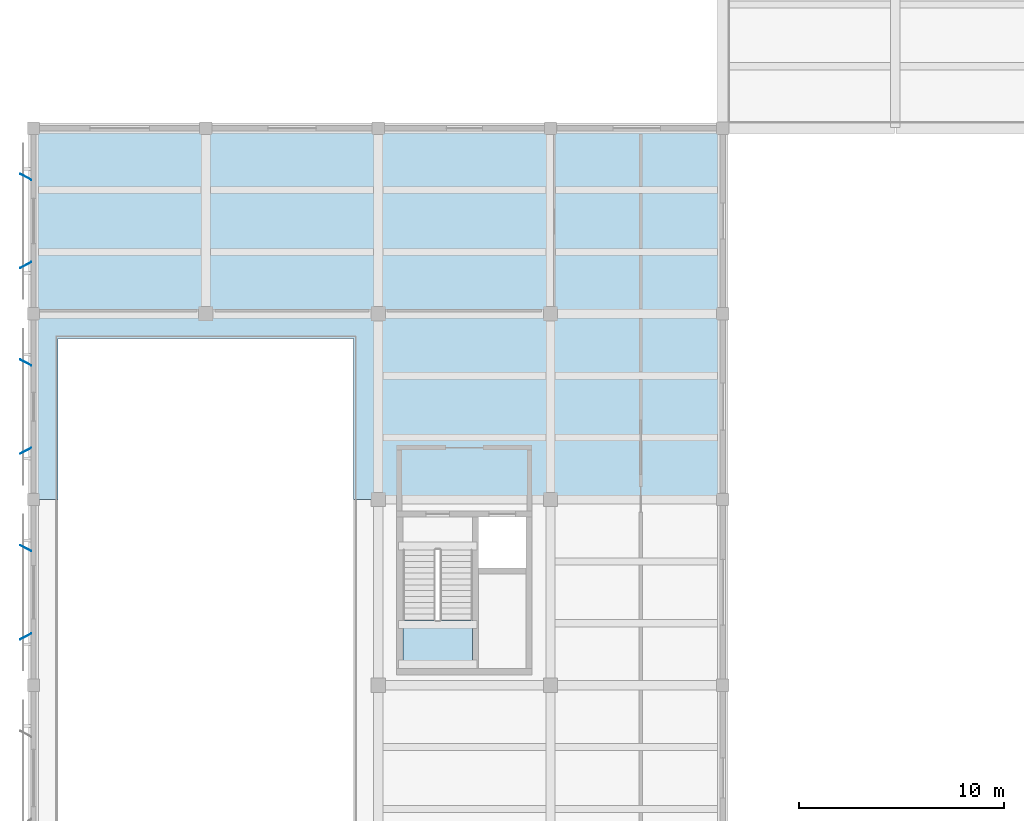
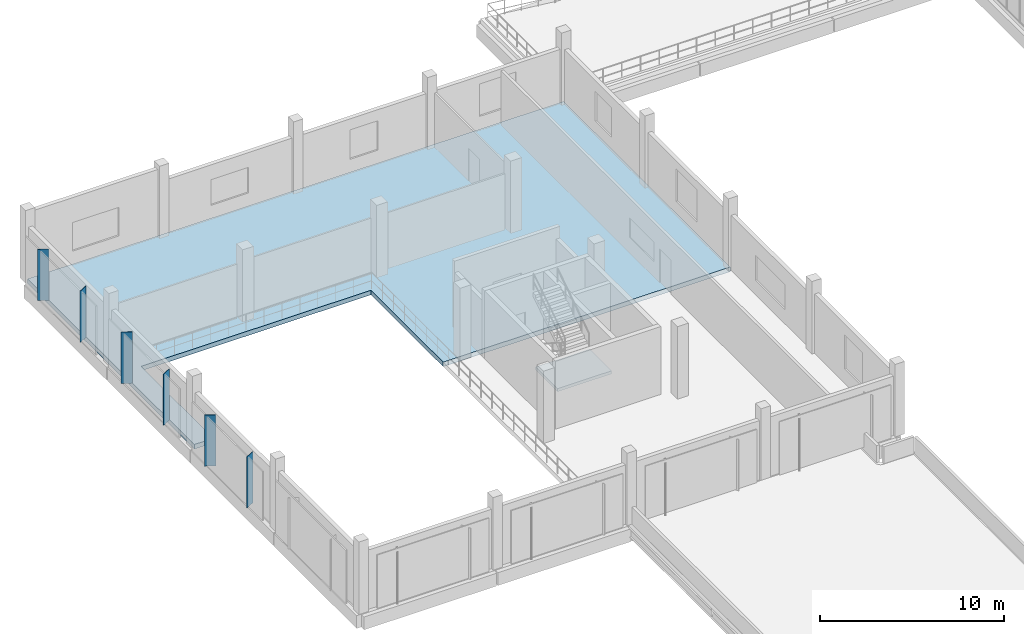
# One storey, part 49 of 80: 6 plates, 2 slabs, 1 element without a shape of its own.
"""IFC4 building model written with IfcOpenShell, lengths in metres."""

from ifc_helpers import new_model, si_unit, direction, frame, origin, origin_2d, place, context, subcontext, project, spatial, polyline, rectangle, outline, extrude, material, layer, layer_set, type_object, element, aggregate, save


model = new_model("IFC4")

# Units and contexts
model_context = context("Model", 3, precision=1e-05, world=origin(), true_north=direction((0.0, 1.0)))
body_context = subcontext(model_context, "Body", "Model", "MODEL_VIEW")
ifc_project = project(units=[si_unit("LENGTHUNIT", "METRE"), si_unit("AREAUNIT", "SQUARE_METRE"), si_unit("VOLUMEUNIT", "CUBIC_METRE"), si_unit("PLANEANGLEUNIT", "RADIAN"), si_unit("MASSUNIT", "GRAM", prefix="KILO")], contexts=[model_context])

# Site, building, storey
site_placement = place(None, origin())
site = spatial("IfcSite", under=ifc_project, at=site_placement, CompositionType="ELEMENT")
building_placement = place(site_placement, origin())
building = spatial("IfcBuilding", under=site, at=building_placement, Name="Khurvash Pelagic Aquarium", CompositionType="ELEMENT")
storey_placement = place(building_placement, frame((0.0, 0.0, 10.800048828125)))
storey = spatial("IfcBuildingStorey", under=building, at=storey_placement, Name="L02", CompositionType="ELEMENT", Elevation=10.800048828125)

# Slab
ifc_material_1 = material(Name="Concrete C40/50", Category="concrete")
ifc_layer_1 = layer(ifc_material_1, 0.300048828125)
ifc_layer_set_1 = layer_set([ifc_layer_1], Name="Concrete C40/50")
slab_type_1 = type_object("IfcSlabType", Name="FS-300", PredefinedType="FLOOR", material=ifc_layer_set_1)
slab_1_placement = place(storey_placement, frame((0.0, 0.0, -0.300048828125)))
element("IfcSlab", 1, at=slab_1_placement, inside=storey, type_object=slab_type_1, Name="L02 Structural Floor Slab FS-300 V4_WEST.2", PredefinedType="FLOOR", context=body_context, shape_type="SweptSolid", body=[
    extrude(outline(polyline([(0.0, 93.10009765625), (0.0, 75.0), (1.199951171875, 75.0), (1.199951171875, 82.85009765625), (15.60009765625, 82.85009765625), (15.60009765625, 75.0), (33.60009765625, 75.0), (33.60009765625, 93.10009765625), (0.0, 93.10009765625)])), origin(), (0.0, 0.0, 1.0), 0.300048828125),
])

# Stair, slab
ifc_material_2 = material(Name="Concrete C35/45", Category="concrete")
stair_type = type_object("IfcStairType", Name="ST-05", PredefinedType="HALF_TURN_STAIR", material=ifc_material_2)
stair_placement = place(storey_placement, origin())
stair = element("IfcStair", 2, at=stair_placement, inside=storey, type_object=stair_type, Name="L02 Protected Exit Stair ST-05", PredefinedType="HALF_TURN_STAIR")
ifc_layer_2 = layer(ifc_material_2, 0.199951171875)
ifc_layer_set_2 = layer_set([ifc_layer_2], Name="Concrete C35/45")
slab_type_2 = type_object("IfcSlabType", Name="SL-LND-200", PredefinedType="LANDING", material=ifc_layer_set_2)
slab_2_placement = place(storey_placement, frame((0.0, 0.0, 2.199951171875)))
slab_2 = element("IfcSlab", 3, at=slab_2_placement, type_object=slab_type_2, Name="ST-05 landing 1", PredefinedType="LANDING", context=body_context, shape_type="SweptSolid", body=[
    extrude(outline(polyline([(18.0, 69.1298828125), (18.0, 66.75), (21.39990234375, 66.75), (21.39990234375, 69.1298828125), (18.0, 69.1298828125)])), origin(), (0.0, 0.0, 1.0), 0.199951171875),
])
aggregate(stair, [slab_2])

# Plates
ifc_material_3 = material(Name="Anodised aluminium AW-5005", Category="aluminium")
ifc_layer_3 = layer(ifc_material_3, 0.02392578125)
ifc_layer_set_3 = layer_set([ifc_layer_3], Name="Anodised aluminium AW-5005")
plate_type = type_object("IfcPlateType", Name="SP-01", PredefinedType="SHEET", material=ifc_layer_set_3)
for number, where, z_axis, x_axis, name in (
    (4, (-0.3779296875, 90.72509765625, 0.14990234375), (0.0, 0.0, 1.0), (-0.882947592859, 0.469471562786, 0.0), "L02 Parametric Folded Aluminium Solar Screen Fin SP-01 0049"),
    (5, (-0.3779296875, 86.425048828125, 0.14990234375), (0.0, 0.0, 1.0), (-0.882947592859, -0.469471562786, 0.0), "L02 Parametric Folded Aluminium Solar Screen Fin SP-01 0050"),
    (6, (-0.3779296875, 81.675048828125, 0.14990234375), (0.0, 0.0, 1.0), (-0.882947592859, 0.469471562786, 0.0), "L02 Parametric Folded Aluminium Solar Screen Fin SP-01 0051"),
    (7, (-0.3779296875, 77.375, 0.14990234375), (0.0, 0.0, 1.0), (-0.882947592859, -0.469471562786, 0.0), "L02 Parametric Folded Aluminium Solar Screen Fin SP-01 0052"),
    (8, (-0.3779296875, 72.625, 0.14990234375), (0.0, 0.0, 1.0), (-0.882947592859, 0.469471562786, 0.0), "L02 Parametric Folded Aluminium Solar Screen Fin SP-01 0053"),
    (9, (-0.3779296875, 68.324951171875, 0.14990234375), (0.0, 0.0, 1.0), (-0.882947592859, -0.469471562786, 0.0), "L02 Parametric Folded Aluminium Solar Screen Fin SP-01 0054"),
):
    element("IfcPlate", number, at=place(storey_placement, frame(where, z_axis=z_axis, x_axis=x_axis)), inside=storey, type_object=plate_type, Name=name, PredefinedType="SHEET", context=body_context, shape_type="SweptSolid", body=[
        extrude(rectangle(XDim=0.6201171875, YDim=0.02392578125, at=origin_2d()), origin(), (0.0, 0.0, 1.0), 3.39990234375),
    ])

save(model, "model.ifc")
